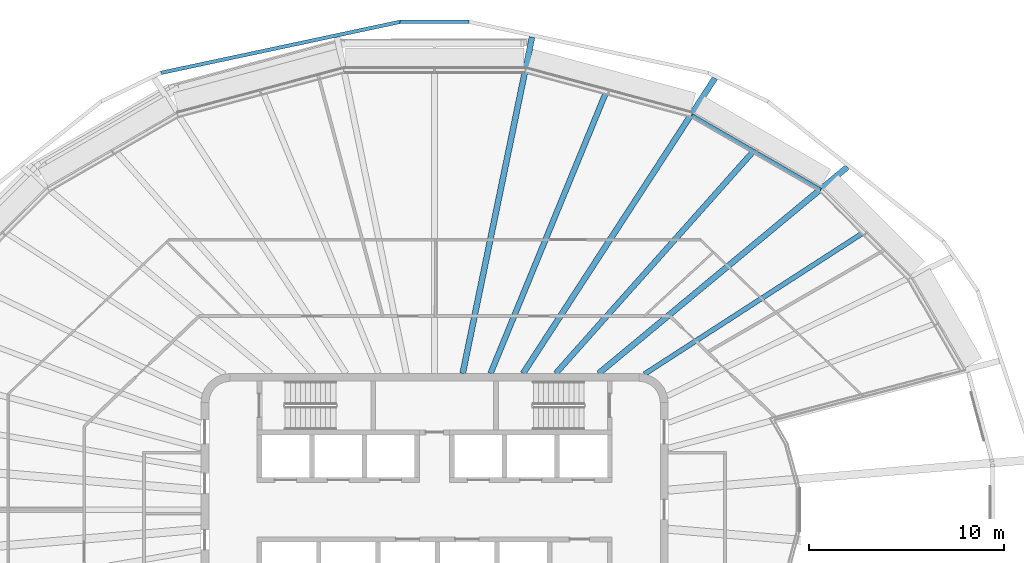
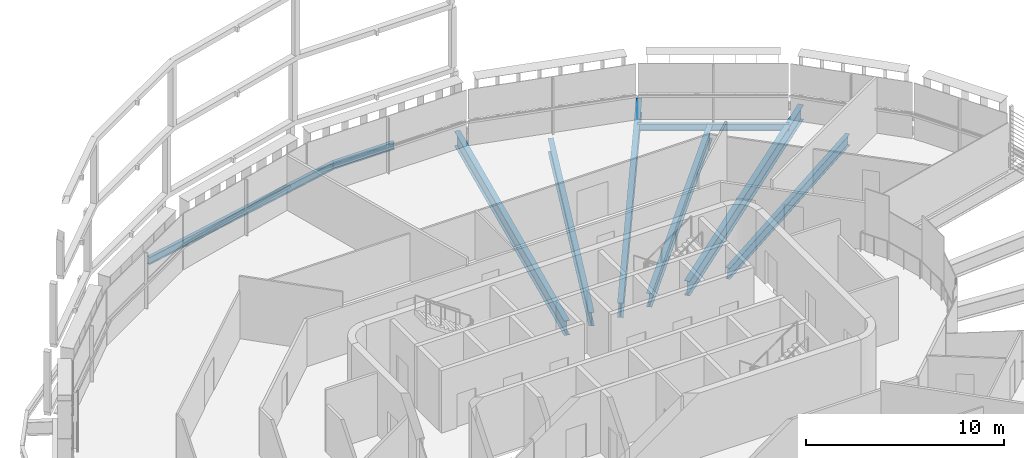
# One storey, part 6 of 19: 9 beams.
"""IFC4 building model written with IfcOpenShell, lengths in metres."""

from ifc_helpers import new_model, si_unit, direction, frame, origin, origin_2d, place, context, subcontext, project, spatial, i_section, extrude, material, material_profile, profile_set, type_object, element, save


model = new_model("IFC4")

# Units and contexts
model_context = context("Model", 3, precision=1e-05, world=origin(), true_north=direction((0.0, 1.0)))
body_context = subcontext(model_context, "Body", "Model", "MODEL_VIEW")
ifc_project = project(units=[si_unit("LENGTHUNIT", "METRE"), si_unit("AREAUNIT", "SQUARE_METRE"), si_unit("VOLUMEUNIT", "CUBIC_METRE"), si_unit("PLANEANGLEUNIT", "RADIAN"), si_unit("MASSUNIT", "GRAM", prefix="KILO")], contexts=[model_context])

# Site, building, storey
site_placement = place(None, origin())
site = spatial("IfcSite", under=ifc_project, at=site_placement, CompositionType="ELEMENT")
building_placement = place(site_placement, origin())
building = spatial("IfcBuilding", under=site, at=building_placement, Name="Sahrelin Media Tower", CompositionType="ELEMENT")
storey_placement = place(building_placement, frame((0.0, 0.0, 287.0)))
storey = spatial("IfcBuildingStorey", under=building, at=storey_placement, Name="L63", CompositionType="ELEMENT", Elevation=287.0)

# Beams
ifc_material = material(Name="Steel S355", Category="steel")
ifc_material_profile_1 = material_profile(ifc_material, i_section(OverallWidth=0.177978515625, OverallDepth=0.406494140625, WebThickness=0.0078125, FlangeThickness=0.0126953125, FilletRadius=0.01025390625, at=origin_2d()), Name="UB 406x178x60")
ifc_profile_set_1 = profile_set([ifc_material_profile_1], Name="Steel S355")
beam_type_1 = type_object("IfcBeamType", Name="Edge beam EB4", PredefinedType="BEAM", material=ifc_profile_set_1)
beam_1_placement = place(storey_placement, frame((13.214111328125, 20.262451171875, -0.353271484375), z_axis=(0.866029782078, -0.499992416496, 0.0), x_axis=(0.499992416496, 0.866029782078, 0.0)))
element("IfcBeam", 1, at=beam_1_placement, inside=storey, type_object=beam_type_1, Name="Edge beam L63-18", PredefinedType="BEAM", context=body_context, shape_type="SweptSolid", body=[
    extrude(i_section(OverallWidth=0.177978515625, OverallDepth=0.406494140625, WebThickness=0.0078125, FlangeThickness=0.0126953125, FilletRadius=0.01025390625, at=origin_2d()), origin(), (0.0, 0.0, 1.0), 7.6455078125),
])
ifc_material_profile_2 = material_profile(ifc_material, i_section(OverallWidth=0.30322265625, OverallDepth=0.903076171875, WebThickness=0.01513671875, FlangeThickness=0.020263671875, FilletRadius=0.01904296875, at=origin_2d()), Name="UB 914x305x201")
ifc_profile_set_2 = profile_set([ifc_material_profile_2], Name="Steel S355")
beam_type_2 = type_object("IfcBeamType", Name="Radial primary beam PB11", PredefinedType="BEAM", material=ifc_profile_set_2)
beam_2_placement = place(storey_placement, frame((8.4326171875, 7.0, -0.6015625), z_axis=(0.769442063394, 0.638716612498, 0.0), x_axis=(-0.638716612498, 0.769442063394, 0.0)))
element("IfcBeam", 2, at=beam_2_placement, inside=storey, type_object=beam_type_2, Name="Radial beam L63-04", PredefinedType="BEAM", context=body_context, shape_type="SweptSolid", body=[
    extrude(i_section(OverallWidth=0.30322265625, OverallDepth=0.903076171875, WebThickness=0.01513671875, FlangeThickness=0.020263671875, FilletRadius=0.01904296875, at=origin_2d()), origin(), (0.0, 0.0, 1.0), 16.602783203125),
])
beam_3_placement = place(storey_placement, frame((4.547607421875, 7.0, -0.6015625), z_axis=(0.544800537229, 0.83856566507, 0.0), x_axis=(-0.83856566507, 0.544800537229, 0.0)))
element("IfcBeam", 3, at=beam_3_placement, inside=storey, type_object=beam_type_2, Name="Radial beam L63-05", PredefinedType="BEAM", context=body_context, shape_type="SweptSolid", body=[
    extrude(i_section(OverallWidth=0.30322265625, OverallDepth=0.903076171875, WebThickness=0.01513671875, FlangeThickness=0.020263671875, FilletRadius=0.01904296875, at=origin_2d()), origin(), (0.0, 0.0, 1.0), 18.094970703125),
])
beam_4_placement = place(storey_placement, frame((1.444580078125, 7.0, -0.6015625), z_axis=(0.202083944473, 0.979368204194, 0.0), x_axis=(-0.979368204194, 0.202083944473, 0.0)))
element("IfcBeam", 4, at=beam_4_placement, inside=storey, type_object=beam_type_2, Name="Radial beam L63-06", PredefinedType="BEAM", context=body_context, shape_type="SweptSolid", body=[
    extrude(i_section(OverallWidth=0.30322265625, OverallDepth=0.903076171875, WebThickness=0.01513671875, FlangeThickness=0.020263671875, FilletRadius=0.01904296875, at=origin_2d()), origin(), (0.0, 0.0, 1.0), 17.643310546875),
])
ifc_material_profile_3 = material_profile(ifc_material, i_section(OverallWidth=0.291748046875, OverallDepth=0.8349609375, WebThickness=0.013916015625, FlangeThickness=0.018798828125, FilletRadius=0.017822265625, at=origin_2d()), Name="UB 838x292x176")
ifc_profile_set_3 = profile_set([ifc_material_profile_3], Name="Steel S355")
beam_type_3 = type_object("IfcBeamType", Name="Radial secondary beam SB10", PredefinedType="BEAM", material=ifc_profile_set_3)
beam_5_placement = place(storey_placement, frame((6.227294921875, 7.0, -0.5673828125), z_axis=(0.664674753745, 0.747132834062, 0.0), x_axis=(-0.747132834062, 0.664674753745, 0.0)))
element("IfcBeam", 5, at=beam_5_placement, inside=storey, type_object=beam_type_3, Name="Secondary beam L63-03", PredefinedType="BEAM", context=body_context, shape_type="SweptSolid", body=[
    extrude(i_section(OverallWidth=0.291748046875, OverallDepth=0.8349609375, WebThickness=0.013916015625, FlangeThickness=0.018798828125, FilletRadius=0.017822265625, at=origin_2d()), origin(), (0.0, 0.0, 1.0), 15.20361328125),
])
beam_6_placement = place(storey_placement, frame((2.8759765625, 7.0, -0.5673828125), z_axis=(0.380009216923, 0.924982699867, 0.0), x_axis=(-0.924982699867, 0.380009216923, 0.0)))
element("IfcBeam", 6, at=beam_6_placement, inside=storey, type_object=beam_type_3, Name="Secondary beam L63-04", PredefinedType="BEAM", context=body_context, shape_type="SweptSolid", body=[
    extrude(i_section(OverallWidth=0.291748046875, OverallDepth=0.8349609375, WebThickness=0.013916015625, FlangeThickness=0.018798828125, FilletRadius=0.017822265625, at=origin_2d()), origin(), (0.0, 0.0, 1.0), 15.521728515625),
])
ifc_material_profile_4 = material_profile(ifc_material, i_section(OverallWidth=0.2529296875, OverallDepth=0.677978515625, WebThickness=0.01171875, FlangeThickness=0.01611328125, FilletRadius=0.01513671875, at=origin_2d()), Name="UB 686x254x125")
ifc_profile_set_4 = profile_set([ifc_material_profile_4], Name="Steel S355")
beam_type_4 = type_object("IfcBeamType", Name="Radial secondary beam SB8", PredefinedType="BEAM", material=ifc_profile_set_4)
beam_7_placement = place(storey_placement, frame((10.779296875, 6.963134765625, -0.489013671875), z_axis=(0.839980030841, 0.542617312467, 0.0), x_axis=(-0.542617312467, 0.839980030841, 0.0)))
element("IfcBeam", 7, at=beam_7_placement, inside=storey, type_object=beam_type_4, Name="Secondary beam L63-02", PredefinedType="BEAM", context=body_context, shape_type="SweptSolid", body=[
    extrude(i_section(OverallWidth=0.2529296875, OverallDepth=0.677978515625, WebThickness=0.01171875, FlangeThickness=0.01611328125, FilletRadius=0.01513671875, at=origin_2d()), origin(), (0.0, 0.0, 1.0), 13.3203125),
])
ifc_material_profile_5 = material_profile(ifc_material, i_section(OverallWidth=0.1904296875, OverallDepth=0.45703125, WebThickness=0.009033203125, FlangeThickness=0.014404296875, FilletRadius=0.01025390625, at=origin_2d()), Name="UB 457x191x74")
ifc_profile_set_5 = profile_set([ifc_material_profile_5], Name="Steel S355")
beam_type_5 = type_object("IfcBeamType", Name="Tie chord TC5", PredefinedType="BEAM", material=ifc_profile_set_5)
beam_8_placement = place(storey_placement, frame((1.77392578125, 25.06689453125, -0.37841796875), z_axis=(-1.0, 0.0, 0.0), x_axis=(0.0, -1.0, 0.0)))
element("IfcBeam", 8, at=beam_8_placement, inside=storey, type_object=beam_type_5, Name="Tie chord L63-06", PredefinedType="BEAM", context=body_context, shape_type="SweptSolid", body=[
    extrude(i_section(OverallWidth=0.1904296875, OverallDepth=0.45703125, WebThickness=0.009033203125, FlangeThickness=0.014404296875, FilletRadius=0.01025390625, at=origin_2d()), origin(), (0.0, 0.0, 1.0), 3.5478515625),
])
beam_9_placement = place(storey_placement, frame((-1.77392578125, 25.06689453125, -0.37841796875), z_axis=(-0.97798945227, -0.208654334365, 0.0), x_axis=(0.208654334365, -0.97798945227, 0.0)))
element("IfcBeam", 9, at=beam_9_placement, inside=storey, type_object=beam_type_5, Name="Tie chord L63-07", PredefinedType="BEAM", context=body_context, shape_type="SweptSolid", body=[
    extrude(i_section(OverallWidth=0.1904296875, OverallDepth=0.45703125, WebThickness=0.009033203125, FlangeThickness=0.014404296875, FilletRadius=0.01025390625, at=origin_2d()), origin(), (0.0, 0.0, 1.0), 12.56201171875),
])

save(model, "model.ifc")
